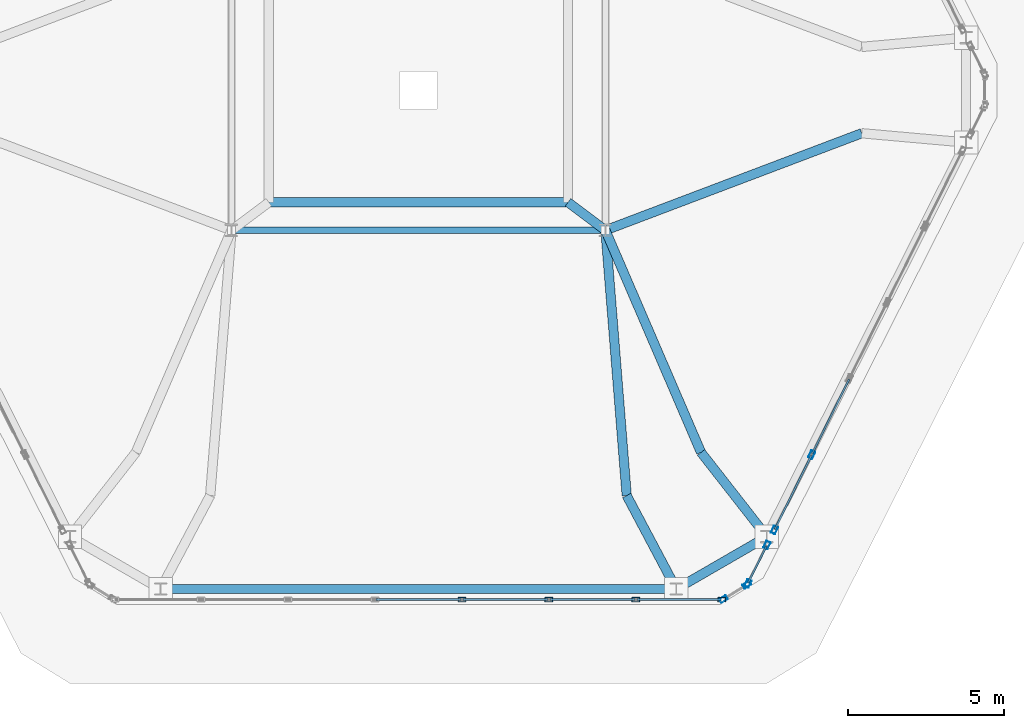
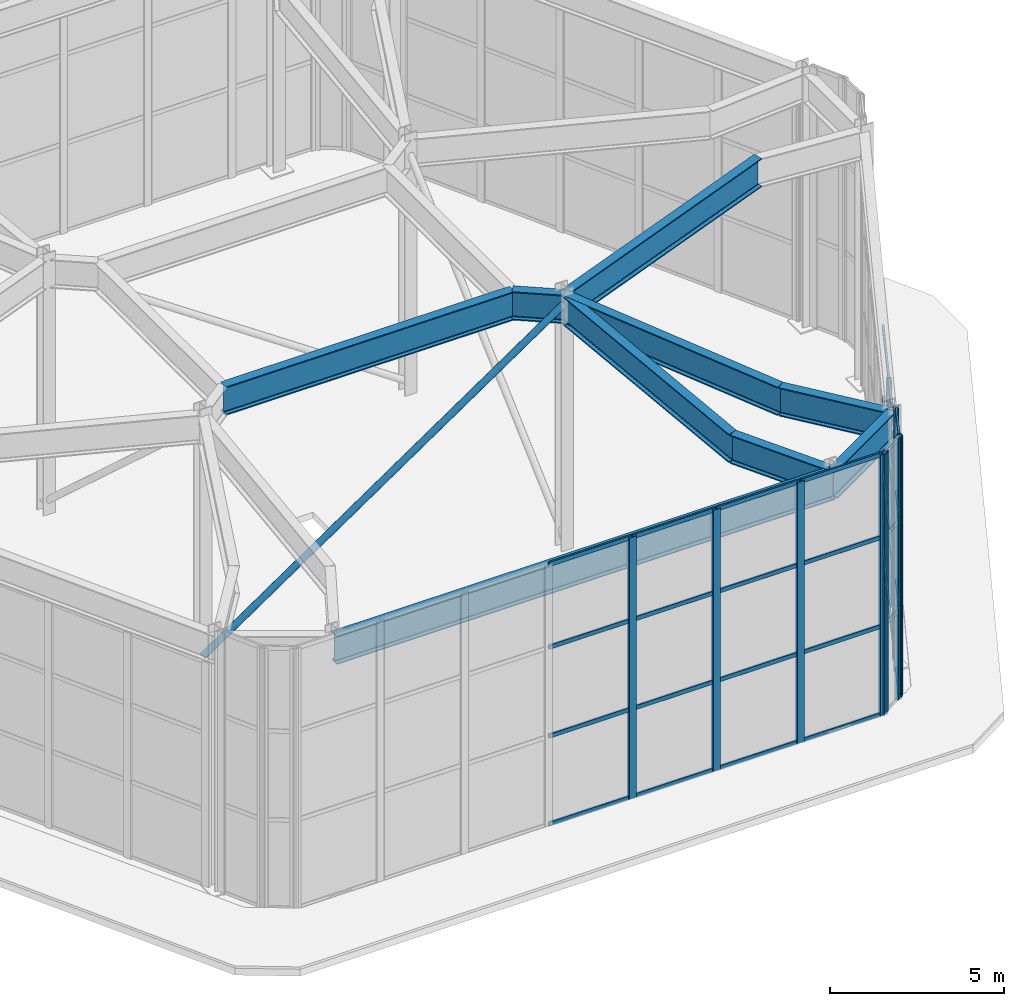
# One storey, part 4 of 12: 39 members, 9 beams, 4 elements without a shape of their own.
"""IFC4 building model written with IfcOpenShell, lengths in metres."""

from ifc_helpers import new_model, si_unit, direction, frame, origin, origin_2d, place, context, subcontext, project, spatial, hollow_rectangle, hollow_circle, i_section, extrude, material, layer, layer_set, material_profile, profile_set, type_object, element, aggregate, save


model = new_model("IFC4")

# Units and contexts
model_context = context("Model", 3, precision=1e-05, world=origin(), true_north=direction((0.0, 1.0)))
body_context = subcontext(model_context, "Body", "Model", "MODEL_VIEW")
ifc_project = project(units=[si_unit("LENGTHUNIT", "METRE"), si_unit("AREAUNIT", "SQUARE_METRE"), si_unit("VOLUMEUNIT", "CUBIC_METRE"), si_unit("PLANEANGLEUNIT", "RADIAN"), si_unit("MASSUNIT", "GRAM", prefix="KILO")], contexts=[model_context])

# Site, building, storey
site_placement = place(None, origin())
site = spatial("IfcSite", under=ifc_project, at=site_placement, CompositionType="ELEMENT")
building_placement = place(site_placement, origin())
building = spatial("IfcBuilding", under=site, at=building_placement, Name="Cinnabar Lancet Tower", CompositionType="ELEMENT")
storey_placement = place(building_placement, frame((0.0, 0.0, 305.5)))
storey = spatial("IfcBuildingStorey", under=building, at=storey_placement, Name="L80", CompositionType="ELEMENT", Elevation=305.5)

# Curtain wall, members
ifc_material_1 = material(Name="Thermally broken bronze-anodized aluminium and low-E glass", Category="aluminium")
ifc_layer = layer(ifc_material_1, 0.179931640625)
ifc_layer_set = layer_set([ifc_layer], Name="Thermally broken bronze-anodized aluminium and low-E glass")
curtain_wall_type = type_object("IfcCurtainWallType", Name="ENV-CW-SYS-05", PredefinedType="NOTDEFINED", material=ifc_layer_set)
curtain_wall_1_placement = place(storey_placement, origin())
curtain_wall_1 = element("IfcCurtainWall", 1, at=curtain_wall_1_placement, inside=storey, type_object=curtain_wall_type, Name="L80 Faceted Lancet Crown Curtain Wall 2", PredefinedType="NOTDEFINED")
ifc_material_2 = material(Name="Anodized architectural aluminium 6063-T6", Category="aluminium")
ifc_material_profile_1 = material_profile(ifc_material_2, hollow_rectangle(XDim=0.14990234375, YDim=0.25, WallThickness=0.010009765625, InnerFilletRadius=0.0048828125, OuterFilletRadius=0.014892578125, at=origin_2d()), Name="RHS 250x150x10")
ifc_profile_set_1 = profile_set([ifc_material_profile_1], Name="Anodized architectural aluminium 6063-T6")
member_type_1 = type_object("IfcMemberType", Name="ENV-CW-MUL-260", PredefinedType="MULLION", material=ifc_profile_set_1)
member_1_placement = place(storey_placement, frame((33.795166015625, 9.449951171875, 0.0), z_axis=(0.0, 0.0, 1.0), x_axis=(0.0, 1.0, 0.0)))
member_1 = element("IfcMember", 2, at=member_1_placement, type_object=member_type_1, Name="CW-05 mullion 5", PredefinedType="MULLION", context=body_context, shape_type="SweptSolid", body=[
    extrude(hollow_rectangle(XDim=0.14990234375, YDim=0.25, WallThickness=0.010009765625, InnerFilletRadius=0.0048828125, OuterFilletRadius=0.014892578125, at=origin_2d()), origin(), (0.0, 0.0, 1.0), 9.175048828125),
])
member_2_placement = place(storey_placement, frame((36.58544921875, 9.449951171875, 0.0), z_axis=(0.0, 0.0, 1.0), x_axis=(0.0, 1.0, 0.0)))
member_2 = element("IfcMember", 3, at=member_2_placement, type_object=member_type_1, Name="CW-05 mullion 6", PredefinedType="MULLION", context=body_context, shape_type="SweptSolid", body=[
    extrude(hollow_rectangle(XDim=0.14990234375, YDim=0.25, WallThickness=0.010009765625, InnerFilletRadius=0.0048828125, OuterFilletRadius=0.014892578125, at=origin_2d()), origin(), (0.0, 0.0, 1.0), 9.175048828125),
])
member_3_placement = place(storey_placement, frame((39.375732421875, 9.449951171875, 0.0), z_axis=(0.0, 0.0, 1.0), x_axis=(0.0, 1.0, 0.0)))
member_3 = element("IfcMember", 4, at=member_3_placement, type_object=member_type_1, Name="CW-05 mullion 7", PredefinedType="MULLION", context=body_context, shape_type="SweptSolid", body=[
    extrude(hollow_rectangle(XDim=0.14990234375, YDim=0.25, WallThickness=0.010009765625, InnerFilletRadius=0.0048828125, OuterFilletRadius=0.014892578125, at=origin_2d()), origin(), (0.0, 0.0, 1.0), 9.175048828125),
])
member_4_placement = place(storey_placement, frame((42.135986328125, 9.449951171875, 0.0), z_axis=(0.0, 0.0, 1.0), x_axis=(0.0, 1.0, 0.0)))
member_4 = element("IfcMember", 5, at=member_4_placement, type_object=member_type_1, Name="CW-05 mullion 8", PredefinedType="MULLION", context=body_context, shape_type="SweptSolid", body=[
    extrude(hollow_rectangle(XDim=0.14990234375, YDim=0.25, WallThickness=0.010009765625, InnerFilletRadius=0.0048828125, OuterFilletRadius=0.014892578125, at=origin_2d()), origin(), (0.0, 0.0, 1.0), 9.175048828125),
])

curtain_wall_2_placement = place(storey_placement, origin())
curtain_wall_2 = element("IfcCurtainWall", 6, at=curtain_wall_2_placement, inside=storey, type_object=curtain_wall_type, Name="L80 Faceted Lancet Crown Curtain Wall 3", PredefinedType="NOTDEFINED")
member_5_placement = place(storey_placement, frame((42.19140625, 9.4658203125, 0.0), z_axis=(0.0, 0.0, 1.0), x_axis=(-0.527496027734, 0.849557497009, 0.0)))
member_5 = element("IfcMember", 7, at=member_5_placement, type_object=member_type_1, Name="CW-05 mullion 1", PredefinedType="MULLION", context=body_context, shape_type="SweptSolid", body=[
    extrude(hollow_rectangle(XDim=0.14990234375, YDim=0.25, WallThickness=0.010009765625, InnerFilletRadius=0.0048828125, OuterFilletRadius=0.014892578125, at=origin_2d()), origin(), (0.0, 0.0, 1.0), 9.175048828125),
])
member_6_placement = place(storey_placement, frame((42.9345703125, 9.92724609375, 0.0), z_axis=(0.0, 0.0, 1.0), x_axis=(-0.527496027734, 0.849557497009, 0.0)))
member_6 = element("IfcMember", 8, at=member_6_placement, type_object=member_type_1, Name="CW-05 mullion 2", PredefinedType="MULLION", context=body_context, shape_type="SweptSolid", body=[
    extrude(hollow_rectangle(XDim=0.14990234375, YDim=0.25, WallThickness=0.010009765625, InnerFilletRadius=0.0048828125, OuterFilletRadius=0.014892578125, at=origin_2d()), origin(), (0.0, 0.0, 1.0), 9.175048828125),
])
aggregate(curtain_wall_2, [member_5, member_6])

curtain_wall_3_placement = place(storey_placement, origin())
curtain_wall_3 = element("IfcCurtainWall", 9, at=curtain_wall_3_placement, inside=storey, type_object=curtain_wall_type, Name="L80 Faceted Lancet Crown Curtain Wall 4", PredefinedType="NOTDEFINED")
member_7_placement = place(storey_placement, frame((42.973388671875, 9.969970703125, 0.0), z_axis=(0.0, 0.0, 1.0), x_axis=(-0.895820359373, 0.444416340533, 0.0)))
member_7 = element("IfcMember", 10, at=member_7_placement, type_object=member_type_1, Name="CW-05 mullion 1", PredefinedType="MULLION", context=body_context, shape_type="SweptSolid", body=[
    extrude(hollow_rectangle(XDim=0.14990234375, YDim=0.25, WallThickness=0.010009765625, InnerFilletRadius=0.0048828125, OuterFilletRadius=0.014892578125, at=origin_2d()), origin(), (0.0, 0.0, 1.0), 9.175048828125),
])
member_8_placement = place(storey_placement, frame((43.582763671875, 11.1982421875, 0.0), z_axis=(0.0, 0.0, 1.0), x_axis=(-0.895820359373, 0.444416340533, 0.0)))
member_8 = element("IfcMember", 11, at=member_8_placement, type_object=member_type_1, Name="CW-05 mullion 2", PredefinedType="MULLION", context=body_context, shape_type="SweptSolid", body=[
    extrude(hollow_rectangle(XDim=0.14990234375, YDim=0.25, WallThickness=0.010009765625, InnerFilletRadius=0.0048828125, OuterFilletRadius=0.014892578125, at=origin_2d()), origin(), (0.0, 0.0, 1.0), 9.175048828125),
])

curtain_wall_4_placement = place(storey_placement, origin())
curtain_wall_4 = element("IfcCurtainWall", 12, at=curtain_wall_4_placement, inside=storey, type_object=curtain_wall_type, Name="L80 Faceted Lancet Crown Curtain Wall 5", PredefinedType="NOTDEFINED")
member_9_placement = place(storey_placement, frame((43.82421875, 11.685791015625, 0.0), z_axis=(0.0, 0.0, 1.0), x_axis=(-0.8959477521, 0.44415945955, 0.0)))
member_9 = element("IfcMember", 13, at=member_9_placement, type_object=member_type_1, Name="CW-05 mullion 1", PredefinedType="MULLION", context=body_context, shape_type="SweptSolid", body=[
    extrude(hollow_rectangle(XDim=0.14990234375, YDim=0.25, WallThickness=0.010009765625, InnerFilletRadius=0.0048828125, OuterFilletRadius=0.014892578125, at=origin_2d()), origin(), (0.0, 0.0, 1.0), 7.9150390625),
])
member_10_placement = place(storey_placement, frame((45.02197265625, 14.101806640625, 0.0), z_axis=(0.0, 0.0, 1.0), x_axis=(-0.8959477521, 0.44415945955, 0.0)))
member_10 = element("IfcMember", 14, at=member_10_placement, type_object=member_type_1, Name="CW-05 mullion 2", PredefinedType="MULLION", context=body_context, shape_type="SweptSolid", body=[
    extrude(hollow_rectangle(XDim=0.14990234375, YDim=0.25, WallThickness=0.010009765625, InnerFilletRadius=0.0048828125, OuterFilletRadius=0.014892578125, at=origin_2d()), origin(), (0.0, 0.0, 1.0), 7.9150390625),
])

# Member
ifc_material_3 = material(Name="Anodized architectural aluminium 6063-T6", Category="aluminium")
ifc_material_profile_2 = material_profile(ifc_material_3, hollow_rectangle(XDim=0.06494140625, YDim=0.14990234375, WallThickness=0.00390625, InnerFilletRadius=0.001953125, OuterFilletRadius=0.006103515625, at=origin_2d()), Name="CW-TRN 150x65x4")
ifc_profile_set_2 = profile_set([ifc_material_profile_2], Name="Anodized architectural aluminium 6063-T6")
member_type_2 = type_object("IfcMemberType", Name="ENV-CW-TRN-160", PredefinedType="USERDEFINED", material=ifc_profile_set_2)
member_11_placement = place(storey_placement, frame((31.034912109375, 9.449951171875, 0.030029296875), z_axis=(1.0, 0.0, 0.0), x_axis=(0.0, 1.0, 0.0)))
member_11 = element("IfcMember", 15, at=member_11_placement, type_object=member_type_2, Name="CW-05 transom 4.1", ObjectType="TRANSOM", PredefinedType="USERDEFINED", context=body_context, shape_type="SweptSolid", body=[
    extrude(hollow_rectangle(XDim=0.06494140625, YDim=0.14990234375, WallThickness=0.00390625, InnerFilletRadius=0.001953125, OuterFilletRadius=0.006103515625, at=origin_2d()), origin(), (0.0, 0.0, 1.0), 2.730224609375),
])

member_12_placement = place(storey_placement, frame((31.034912109375, 9.449951171875, 3.1201171875), z_axis=(1.0, 0.0, 0.0), x_axis=(0.0, 1.0, 0.0)))
member_12 = element("IfcMember", 16, at=member_12_placement, type_object=member_type_2, Name="CW-05 transom 4.2", ObjectType="TRANSOM", PredefinedType="USERDEFINED", context=body_context, shape_type="SweptSolid", body=[
    extrude(hollow_rectangle(XDim=0.06494140625, YDim=0.14990234375, WallThickness=0.00390625, InnerFilletRadius=0.001953125, OuterFilletRadius=0.006103515625, at=origin_2d()), origin(), (0.0, 0.0, 1.0), 2.730224609375),
])

member_13_placement = place(storey_placement, frame((31.034912109375, 9.449951171875, 6.239013671875), z_axis=(1.0, 0.0, 0.0), x_axis=(0.0, 1.0, 0.0)))
member_13 = element("IfcMember", 17, at=member_13_placement, type_object=member_type_2, Name="CW-05 transom 4.3", ObjectType="TRANSOM", PredefinedType="USERDEFINED", context=body_context, shape_type="SweptSolid", body=[
    extrude(hollow_rectangle(XDim=0.06494140625, YDim=0.14990234375, WallThickness=0.00390625, InnerFilletRadius=0.001953125, OuterFilletRadius=0.006103515625, at=origin_2d()), origin(), (0.0, 0.0, 1.0), 2.730224609375),
])

member_14_placement = place(storey_placement, frame((31.034912109375, 9.449951171875, 9.14501953125), z_axis=(1.0, 0.0, 0.0), x_axis=(0.0, 1.0, 0.0)))
member_14 = element("IfcMember", 18, at=member_14_placement, type_object=member_type_2, Name="CW-05 transom 4.4", ObjectType="TRANSOM", PredefinedType="USERDEFINED", context=body_context, shape_type="SweptSolid", body=[
    extrude(hollow_rectangle(XDim=0.06494140625, YDim=0.14990234375, WallThickness=0.00390625, InnerFilletRadius=0.001953125, OuterFilletRadius=0.006103515625, at=origin_2d()), origin(), (0.0, 0.0, 1.0), 2.730224609375),
])

member_15_placement = place(storey_placement, frame((33.8251953125, 9.449951171875, 0.030029296875), z_axis=(1.0, 0.0, 0.0), x_axis=(0.0, 1.0, 0.0)))
member_15 = element("IfcMember", 19, at=member_15_placement, type_object=member_type_2, Name="CW-05 transom 5.1", ObjectType="TRANSOM", PredefinedType="USERDEFINED", context=body_context, shape_type="SweptSolid", body=[
    extrude(hollow_rectangle(XDim=0.06494140625, YDim=0.14990234375, WallThickness=0.00390625, InnerFilletRadius=0.001953125, OuterFilletRadius=0.006103515625, at=origin_2d()), origin(), (0.0, 0.0, 1.0), 2.730224609375),
])

member_16_placement = place(storey_placement, frame((33.8251953125, 9.449951171875, 3.1201171875), z_axis=(1.0, 0.0, 0.0), x_axis=(0.0, 1.0, 0.0)))
member_16 = element("IfcMember", 20, at=member_16_placement, type_object=member_type_2, Name="CW-05 transom 5.2", ObjectType="TRANSOM", PredefinedType="USERDEFINED", context=body_context, shape_type="SweptSolid", body=[
    extrude(hollow_rectangle(XDim=0.06494140625, YDim=0.14990234375, WallThickness=0.00390625, InnerFilletRadius=0.001953125, OuterFilletRadius=0.006103515625, at=origin_2d()), origin(), (0.0, 0.0, 1.0), 2.730224609375),
])

member_17_placement = place(storey_placement, frame((33.8251953125, 9.449951171875, 6.239013671875), z_axis=(1.0, 0.0, 0.0), x_axis=(0.0, 1.0, 0.0)))
member_17 = element("IfcMember", 21, at=member_17_placement, type_object=member_type_2, Name="CW-05 transom 5.3", ObjectType="TRANSOM", PredefinedType="USERDEFINED", context=body_context, shape_type="SweptSolid", body=[
    extrude(hollow_rectangle(XDim=0.06494140625, YDim=0.14990234375, WallThickness=0.00390625, InnerFilletRadius=0.001953125, OuterFilletRadius=0.006103515625, at=origin_2d()), origin(), (0.0, 0.0, 1.0), 2.730224609375),
])

member_18_placement = place(storey_placement, frame((33.8251953125, 9.449951171875, 9.14501953125), z_axis=(1.0, 0.0, 0.0), x_axis=(0.0, 1.0, 0.0)))
member_18 = element("IfcMember", 22, at=member_18_placement, type_object=member_type_2, Name="CW-05 transom 5.4", ObjectType="TRANSOM", PredefinedType="USERDEFINED", context=body_context, shape_type="SweptSolid", body=[
    extrude(hollow_rectangle(XDim=0.06494140625, YDim=0.14990234375, WallThickness=0.00390625, InnerFilletRadius=0.001953125, OuterFilletRadius=0.006103515625, at=origin_2d()), origin(), (0.0, 0.0, 1.0), 2.730224609375),
])

member_19_placement = place(storey_placement, frame((36.615478515625, 9.449951171875, 0.030029296875), z_axis=(1.0, 0.0, 0.0), x_axis=(0.0, 1.0, 0.0)))
member_19 = element("IfcMember", 23, at=member_19_placement, type_object=member_type_2, Name="CW-05 transom 6.1", ObjectType="TRANSOM", PredefinedType="USERDEFINED", context=body_context, shape_type="SweptSolid", body=[
    extrude(hollow_rectangle(XDim=0.06494140625, YDim=0.14990234375, WallThickness=0.00390625, InnerFilletRadius=0.001953125, OuterFilletRadius=0.006103515625, at=origin_2d()), origin(), (0.0, 0.0, 1.0), 2.730224609375),
])

member_20_placement = place(storey_placement, frame((36.615478515625, 9.449951171875, 3.1201171875), z_axis=(1.0, 0.0, 0.0), x_axis=(0.0, 1.0, 0.0)))
member_20 = element("IfcMember", 24, at=member_20_placement, type_object=member_type_2, Name="CW-05 transom 6.2", ObjectType="TRANSOM", PredefinedType="USERDEFINED", context=body_context, shape_type="SweptSolid", body=[
    extrude(hollow_rectangle(XDim=0.06494140625, YDim=0.14990234375, WallThickness=0.00390625, InnerFilletRadius=0.001953125, OuterFilletRadius=0.006103515625, at=origin_2d()), origin(), (0.0, 0.0, 1.0), 2.730224609375),
])

member_21_placement = place(storey_placement, frame((36.615478515625, 9.449951171875, 6.239013671875), z_axis=(1.0, 0.0, 0.0), x_axis=(0.0, 1.0, 0.0)))
member_21 = element("IfcMember", 25, at=member_21_placement, type_object=member_type_2, Name="CW-05 transom 6.3", ObjectType="TRANSOM", PredefinedType="USERDEFINED", context=body_context, shape_type="SweptSolid", body=[
    extrude(hollow_rectangle(XDim=0.06494140625, YDim=0.14990234375, WallThickness=0.00390625, InnerFilletRadius=0.001953125, OuterFilletRadius=0.006103515625, at=origin_2d()), origin(), (0.0, 0.0, 1.0), 2.730224609375),
])

member_22_placement = place(storey_placement, frame((36.615478515625, 9.449951171875, 9.14501953125), z_axis=(1.0, 0.0, 0.0), x_axis=(0.0, 1.0, 0.0)))
member_22 = element("IfcMember", 26, at=member_22_placement, type_object=member_type_2, Name="CW-05 transom 6.4", ObjectType="TRANSOM", PredefinedType="USERDEFINED", context=body_context, shape_type="SweptSolid", body=[
    extrude(hollow_rectangle(XDim=0.06494140625, YDim=0.14990234375, WallThickness=0.00390625, InnerFilletRadius=0.001953125, OuterFilletRadius=0.006103515625, at=origin_2d()), origin(), (0.0, 0.0, 1.0), 2.730224609375),
])

member_23_placement = place(storey_placement, frame((39.40576171875, 9.449951171875, 0.030029296875), z_axis=(1.0, 0.0, 0.0), x_axis=(0.0, 1.0, 0.0)))
member_23 = element("IfcMember", 27, at=member_23_placement, type_object=member_type_2, Name="CW-05 transom 7.1", ObjectType="TRANSOM", PredefinedType="USERDEFINED", context=body_context, shape_type="SweptSolid", body=[
    extrude(hollow_rectangle(XDim=0.06494140625, YDim=0.14990234375, WallThickness=0.00390625, InnerFilletRadius=0.001953125, OuterFilletRadius=0.006103515625, at=origin_2d()), origin(), (0.0, 0.0, 1.0), 2.7001953125),
])

member_24_placement = place(storey_placement, frame((39.40576171875, 9.449951171875, 3.1201171875), z_axis=(1.0, 0.0, 0.0), x_axis=(0.0, 1.0, 0.0)))
member_24 = element("IfcMember", 28, at=member_24_placement, type_object=member_type_2, Name="CW-05 transom 7.2", ObjectType="TRANSOM", PredefinedType="USERDEFINED", context=body_context, shape_type="SweptSolid", body=[
    extrude(hollow_rectangle(XDim=0.06494140625, YDim=0.14990234375, WallThickness=0.00390625, InnerFilletRadius=0.001953125, OuterFilletRadius=0.006103515625, at=origin_2d()), origin(), (0.0, 0.0, 1.0), 2.7001953125),
])

member_25_placement = place(storey_placement, frame((39.40576171875, 9.449951171875, 6.239013671875), z_axis=(1.0, 0.0, 0.0), x_axis=(0.0, 1.0, 0.0)))
member_25 = element("IfcMember", 29, at=member_25_placement, type_object=member_type_2, Name="CW-05 transom 7.3", ObjectType="TRANSOM", PredefinedType="USERDEFINED", context=body_context, shape_type="SweptSolid", body=[
    extrude(hollow_rectangle(XDim=0.06494140625, YDim=0.14990234375, WallThickness=0.00390625, InnerFilletRadius=0.001953125, OuterFilletRadius=0.006103515625, at=origin_2d()), origin(), (0.0, 0.0, 1.0), 2.7001953125),
])

member_26_placement = place(storey_placement, frame((39.40576171875, 9.449951171875, 9.14501953125), z_axis=(1.0, 0.0, 0.0), x_axis=(0.0, 1.0, 0.0)))
member_26 = element("IfcMember", 30, at=member_26_placement, type_object=member_type_2, Name="CW-05 transom 7.4", ObjectType="TRANSOM", PredefinedType="USERDEFINED", context=body_context, shape_type="SweptSolid", body=[
    extrude(hollow_rectangle(XDim=0.06494140625, YDim=0.14990234375, WallThickness=0.00390625, InnerFilletRadius=0.001953125, OuterFilletRadius=0.006103515625, at=origin_2d()), origin(), (0.0, 0.0, 1.0), 2.7001953125),
])

aggregate(curtain_wall_1, [member_1, member_2, member_3, member_4, member_11, member_12, member_13, member_14, member_15, member_16, member_17, member_18, member_19, member_20, member_21, member_22, member_23, member_24, member_25, member_26])

member_27_placement = place(storey_placement, frame((42.986572265625, 9.996826171875, 0.030029296875), z_axis=(0.444529880214, 0.895764023388, 0.0), x_axis=(-0.895764023388, 0.444529880214, 0.0)))
member_27 = element("IfcMember", 31, at=member_27_placement, type_object=member_type_2, Name="CW-05 transom 1.1", ObjectType="TRANSOM", PredefinedType="USERDEFINED", context=body_context, shape_type="SweptSolid", body=[
    extrude(hollow_rectangle(XDim=0.06494140625, YDim=0.14990234375, WallThickness=0.00390625, InnerFilletRadius=0.001953125, OuterFilletRadius=0.006103515625, at=origin_2d()), origin(), (0.0, 0.0, 1.0), 1.31103515625),
])

member_28_placement = place(storey_placement, frame((42.986572265625, 9.996826171875, 3.1201171875), z_axis=(0.444529880214, 0.895764023388, 0.0), x_axis=(-0.895764023388, 0.444529880214, 0.0)))
member_28 = element("IfcMember", 32, at=member_28_placement, type_object=member_type_2, Name="CW-05 transom 1.2", ObjectType="TRANSOM", PredefinedType="USERDEFINED", context=body_context, shape_type="SweptSolid", body=[
    extrude(hollow_rectangle(XDim=0.06494140625, YDim=0.14990234375, WallThickness=0.00390625, InnerFilletRadius=0.001953125, OuterFilletRadius=0.006103515625, at=origin_2d()), origin(), (0.0, 0.0, 1.0), 1.31103515625),
])

member_29_placement = place(storey_placement, frame((42.986572265625, 9.996826171875, 6.239013671875), z_axis=(0.444529880214, 0.895764023388, 0.0), x_axis=(-0.895764023388, 0.444529880214, 0.0)))
member_29 = element("IfcMember", 33, at=member_29_placement, type_object=member_type_2, Name="CW-05 transom 1.3", ObjectType="TRANSOM", PredefinedType="USERDEFINED", context=body_context, shape_type="SweptSolid", body=[
    extrude(hollow_rectangle(XDim=0.06494140625, YDim=0.14990234375, WallThickness=0.00390625, InnerFilletRadius=0.001953125, OuterFilletRadius=0.006103515625, at=origin_2d()), origin(), (0.0, 0.0, 1.0), 1.31103515625),
])

member_30_placement = place(storey_placement, frame((42.986572265625, 9.996826171875, 9.14501953125), z_axis=(0.444529880214, 0.895764023388, 0.0), x_axis=(-0.895764023388, 0.444529880214, 0.0)))
member_30 = element("IfcMember", 34, at=member_30_placement, type_object=member_type_2, Name="CW-05 transom 1.4", ObjectType="TRANSOM", PredefinedType="USERDEFINED", context=body_context, shape_type="SweptSolid", body=[
    extrude(hollow_rectangle(XDim=0.06494140625, YDim=0.14990234375, WallThickness=0.00390625, InnerFilletRadius=0.001953125, OuterFilletRadius=0.006103515625, at=origin_2d()), origin(), (0.0, 0.0, 1.0), 1.31103515625),
])

aggregate(curtain_wall_3, [member_7, member_8, member_27, member_28, member_29, member_30])

member_31_placement = place(storey_placement, frame((43.837646484375, 11.712646484375, 0.030029296875), z_axis=(0.44417393063, 0.895940578023, 0.0), x_axis=(-0.895940578023, 0.44417393063, 0.0)))
member_31 = element("IfcMember", 35, at=member_31_placement, type_object=member_type_2, Name="CW-05 transom 1.1", ObjectType="TRANSOM", PredefinedType="USERDEFINED", context=body_context, shape_type="SweptSolid", body=[
    extrude(hollow_rectangle(XDim=0.06494140625, YDim=0.14990234375, WallThickness=0.00390625, InnerFilletRadius=0.001953125, OuterFilletRadius=0.006103515625, at=origin_2d()), origin(), (0.0, 0.0, 1.0), 2.63671875),
])

member_32_placement = place(storey_placement, frame((43.837646484375, 11.712646484375, 2.69091796875), z_axis=(0.44417393063, 0.895940578023, 0.0), x_axis=(-0.895940578023, 0.44417393063, 0.0)))
member_32 = element("IfcMember", 36, at=member_32_placement, type_object=member_type_2, Name="CW-05 transom 1.2", ObjectType="TRANSOM", PredefinedType="USERDEFINED", context=body_context, shape_type="SweptSolid", body=[
    extrude(hollow_rectangle(XDim=0.06494140625, YDim=0.14990234375, WallThickness=0.00390625, InnerFilletRadius=0.001953125, OuterFilletRadius=0.006103515625, at=origin_2d()), origin(), (0.0, 0.0, 1.0), 2.63671875),
])

member_33_placement = place(storey_placement, frame((43.837646484375, 11.712646484375, 5.382080078125), z_axis=(0.44417393063, 0.895940578023, 0.0), x_axis=(-0.895940578023, 0.44417393063, 0.0)))
member_33 = element("IfcMember", 37, at=member_33_placement, type_object=member_type_2, Name="CW-05 transom 1.3", ObjectType="TRANSOM", PredefinedType="USERDEFINED", context=body_context, shape_type="SweptSolid", body=[
    extrude(hollow_rectangle(XDim=0.06494140625, YDim=0.14990234375, WallThickness=0.00390625, InnerFilletRadius=0.001953125, OuterFilletRadius=0.006103515625, at=origin_2d()), origin(), (0.0, 0.0, 1.0), 2.63671875),
])

member_34_placement = place(storey_placement, frame((43.837646484375, 11.712646484375, 7.885009765625), z_axis=(0.44417393063, 0.895940578023, 0.0), x_axis=(-0.895940578023, 0.44417393063, 0.0)))
member_34 = element("IfcMember", 38, at=member_34_placement, type_object=member_type_2, Name="CW-05 transom 1.4", ObjectType="TRANSOM", PredefinedType="USERDEFINED", context=body_context, shape_type="SweptSolid", body=[
    extrude(hollow_rectangle(XDim=0.06494140625, YDim=0.14990234375, WallThickness=0.00390625, InnerFilletRadius=0.001953125, OuterFilletRadius=0.006103515625, at=origin_2d()), origin(), (0.0, 0.0, 1.0), 2.63671875),
])

member_35_placement = place(storey_placement, frame((45.035400390625, 14.128662109375, 0.030029296875), z_axis=(0.44413469279, 0.895960029611, 0.0), x_axis=(-0.895960029611, 0.44413469279, 0.0)))
member_35 = element("IfcMember", 39, at=member_35_placement, type_object=member_type_2, Name="CW-05 transom 2.1", ObjectType="TRANSOM", PredefinedType="USERDEFINED", context=body_context, shape_type="SweptSolid", body=[
    extrude(hollow_rectangle(XDim=0.06494140625, YDim=0.14990234375, WallThickness=0.00390625, InnerFilletRadius=0.001953125, OuterFilletRadius=0.006103515625, at=origin_2d()), origin(), (0.0, 0.0, 1.0), 2.66650390625),
])

member_36_placement = place(storey_placement, frame((45.035400390625, 14.128662109375, 2.69091796875), z_axis=(0.44413469279, 0.895960029611, 0.0), x_axis=(-0.895960029611, 0.44413469279, 0.0)))
member_36 = element("IfcMember", 40, at=member_36_placement, type_object=member_type_2, Name="CW-05 transom 2.2", ObjectType="TRANSOM", PredefinedType="USERDEFINED", context=body_context, shape_type="SweptSolid", body=[
    extrude(hollow_rectangle(XDim=0.06494140625, YDim=0.14990234375, WallThickness=0.00390625, InnerFilletRadius=0.001953125, OuterFilletRadius=0.006103515625, at=origin_2d()), origin(), (0.0, 0.0, 1.0), 2.66650390625),
])

member_37_placement = place(storey_placement, frame((45.035400390625, 14.128662109375, 5.382080078125), z_axis=(0.44413469279, 0.895960029611, 0.0), x_axis=(-0.895960029611, 0.44413469279, 0.0)))
member_37 = element("IfcMember", 41, at=member_37_placement, type_object=member_type_2, Name="CW-05 transom 2.3", ObjectType="TRANSOM", PredefinedType="USERDEFINED", context=body_context, shape_type="SweptSolid", body=[
    extrude(hollow_rectangle(XDim=0.06494140625, YDim=0.14990234375, WallThickness=0.00390625, InnerFilletRadius=0.001953125, OuterFilletRadius=0.006103515625, at=origin_2d()), origin(), (0.0, 0.0, 1.0), 2.66650390625),
])

member_38_placement = place(storey_placement, frame((45.035400390625, 14.128662109375, 7.885009765625), z_axis=(0.44413469279, 0.895960029611, 0.0), x_axis=(-0.895960029611, 0.44413469279, 0.0)))
member_38 = element("IfcMember", 42, at=member_38_placement, type_object=member_type_2, Name="CW-05 transom 2.4", ObjectType="TRANSOM", PredefinedType="USERDEFINED", context=body_context, shape_type="SweptSolid", body=[
    extrude(hollow_rectangle(XDim=0.06494140625, YDim=0.14990234375, WallThickness=0.00390625, InnerFilletRadius=0.001953125, OuterFilletRadius=0.006103515625, at=origin_2d()), origin(), (0.0, 0.0, 1.0), 2.66650390625),
])

aggregate(curtain_wall_4, [member_9, member_10, member_31, member_32, member_33, member_34, member_35, member_36, member_37, member_38])

# Beams
ifc_material_4 = material(Name="Structural steel S460", Category="steel")
ifc_material_profile_3 = material_profile(ifc_material_4, i_section(OverallWidth=0.300048828125, OverallDepth=1.0, WebThickness=0.01904296875, FlangeThickness=0.035888671875, FilletRadius=0.030029296875, at=origin_2d()), Name="UKB 1016x305x314")
ifc_profile_set_3 = profile_set([ifc_material_profile_3], Name="Structural steel S460")
beam_type = type_object("IfcBeamType", Name="STR-BM-UKB1016-314", PredefinedType="BEAM", material=ifc_profile_set_3)
beam_1_placement = place(storey_placement, frame((24.125, 9.7890625, 8.425048828125), z_axis=(1.0, 0.0, 0.0), x_axis=(0.0, 1.0, 0.0)))
element("IfcBeam", 43, at=beam_1_placement, inside=storey, type_object=beam_type, Name="L81 Setback Outer Ring Girder 1", PredefinedType="BEAM", context=body_context, shape_type="SweptSolid", body=[
    extrude(i_section(OverallWidth=0.300048828125, OverallDepth=1.0, WebThickness=0.01904296875, FlangeThickness=0.035888671875, FilletRadius=0.030029296875, at=origin_2d()), origin(), (0.0, 0.0, 1.0), 16.550048828125),
])
beam_2_placement = place(storey_placement, frame((40.675048828125, 9.7890625, 8.425048828125), z_axis=(0.865748126485, 0.500479951134, 0.0), x_axis=(-0.500479951134, 0.865748126485, 0.0)))
element("IfcBeam", 44, at=beam_2_placement, inside=storey, type_object=beam_type, Name="L81 Setback Outer Ring Girder 2", PredefinedType="BEAM", context=body_context, shape_type="SweptSolid", body=[
    extrude(i_section(OverallWidth=0.300048828125, OverallDepth=1.0, WebThickness=0.01904296875, FlangeThickness=0.035888671875, FilletRadius=0.030029296875, at=origin_2d()), origin(), (0.0, 0.0, 1.0), 3.356689453125),
])
beam_3_placement = place(storey_placement, frame((40.675048828125, 9.7890625, 8.425048828125), z_axis=(-0.468762740644, 0.883324115478, 0.0), x_axis=(-0.883324115478, -0.468762740644, 0.0)))
element("IfcBeam", 45, at=beam_3_placement, inside=storey, type_object=beam_type, Name="L81 Crown Setback Strut Girder 2", PredefinedType="BEAM", context=body_context, shape_type="SweptSolid", body=[
    extrude(i_section(OverallWidth=0.300048828125, OverallDepth=1.0, WebThickness=0.01904296875, FlangeThickness=0.035888671875, FilletRadius=0.030029296875, at=origin_2d()), origin(), (0.0, 0.0, 1.0), 3.396240234375),
])
beam_4_placement = place(storey_placement, frame((39.0830078125, 12.7890625, 8.425048828125), z_axis=(-0.08000433307, 0.99679451578, 0.0), x_axis=(-0.99679451578, -0.08000433307, 0.0)))
element("IfcBeam", 46, at=beam_4_placement, inside=storey, type_object=beam_type, Name="L81 Crown Setback Radial Girder 2", PredefinedType="BEAM", context=body_context, shape_type="SweptSolid", body=[
    extrude(i_section(OverallWidth=0.300048828125, OverallDepth=1.0, WebThickness=0.01904296875, FlangeThickness=0.035888671875, FilletRadius=0.030029296875, at=origin_2d()), origin(), (0.0, 0.0, 1.0), 8.538330078125),
])
beam_5_placement = place(storey_placement, frame((43.5810546875, 11.468994140625, 8.425048828125), z_axis=(-0.615688236076, 0.787989845085, 0.0), x_axis=(-0.787989845085, -0.615688236076, 0.0)))
element("IfcBeam", 47, at=beam_5_placement, inside=storey, type_object=beam_type, Name="L81 Crown Setback Strut Girder 3", PredefinedType="BEAM", context=body_context, shape_type="SweptSolid", body=[
    extrude(i_section(OverallWidth=0.300048828125, OverallDepth=1.0, WebThickness=0.01904296875, FlangeThickness=0.035888671875, FilletRadius=0.030029296875, at=origin_2d()), origin(), (0.0, 0.0, 1.0), 3.430419921875),
])
beam_6_placement = place(storey_placement, frame((41.468994140625, 14.172119140625, 8.425048828125), z_axis=(-0.395471619796, 0.918478196767, 0.0), x_axis=(-0.918478196767, -0.395471619796, 0.0)))
element("IfcBeam", 48, at=beam_6_placement, inside=storey, type_object=beam_type, Name="L81 Crown Setback Radial Girder 3", PredefinedType="BEAM", context=body_context, shape_type="SweptSolid", body=[
    extrude(i_section(OverallWidth=0.300048828125, OverallDepth=1.0, WebThickness=0.01904296875, FlangeThickness=0.035888671875, FilletRadius=0.030029296875, at=origin_2d()), origin(), (0.0, 0.0, 1.0), 7.760498046875),
])
beam_7_placement = place(storey_placement, frame((46.6259765625, 24.4150390625, 8.425048828125), z_axis=(-0.935195103157, -0.354132911533, 0.0), x_axis=(0.354132911533, -0.935195103157, 0.0)))
element("IfcBeam", 49, at=beam_7_placement, inside=storey, type_object=beam_type, Name="L81 Crown Setback Radial Girder 4", PredefinedType="BEAM", context=body_context, shape_type="SweptSolid", body=[
    extrude(i_section(OverallWidth=0.300048828125, OverallDepth=1.0, WebThickness=0.01904296875, FlangeThickness=0.035888671875, FilletRadius=0.030029296875, at=origin_2d()), origin(), (0.0, 0.0, 1.0), 8.796142578125),
])
beam_8_placement = place(storey_placement, frame((27.60009765625, 22.199951171875, 8.425048828125), z_axis=(1.0, 0.0, 0.0), x_axis=(0.0, 1.0, 0.0)))
element("IfcBeam", 50, at=beam_8_placement, inside=storey, type_object=beam_type, Name="L81 Crown Inner Ring Tie 1", PredefinedType="BEAM", context=body_context, shape_type="SweptSolid", body=[
    extrude(i_section(OverallWidth=0.300048828125, OverallDepth=1.0, WebThickness=0.01904296875, FlangeThickness=0.035888671875, FilletRadius=0.030029296875, at=origin_2d()), origin(), (0.0, 0.0, 1.0), 9.599853515625),
])
beam_9_placement = place(storey_placement, frame((38.39990234375, 21.300048828125, 8.425048828125), z_axis=(-0.800019532098, 0.59997395632, 0.0), x_axis=(-0.59997395632, -0.800019532098, 0.0)))
element("IfcBeam", 51, at=beam_9_placement, inside=storey, type_object=beam_type, Name="L81 Crown Inner Ring Transfer 2", PredefinedType="BEAM", context=body_context, shape_type="SweptSolid", body=[
    extrude(i_section(OverallWidth=0.300048828125, OverallDepth=1.0, WebThickness=0.01904296875, FlangeThickness=0.035888671875, FilletRadius=0.030029296875, at=origin_2d()), origin(), (0.0, 0.0, 1.0), 1.5),
])

# Member
ifc_material_5 = material(Name="Structural steel S460", Category="steel")
ifc_material_profile_4 = material_profile(ifc_material_5, hollow_circle(Radius=0.109619140625, WallThickness=0.010009765625, at=origin_2d()), Name="CHS 219.1x10")
ifc_profile_set_4 = profile_set([ifc_material_profile_4], Name="Structural steel S460")
member_type_3 = type_object("IfcMemberType", Name="STR-MEM-CRN-BRC219", PredefinedType="BRACE", material=ifc_profile_set_4)
member_39_placement = place(storey_placement, frame((26.39990234375, 21.300048828125, 0.35009765625), z_axis=(0.8264520989, 0.0, 0.563007041007), x_axis=(0.0, 1.0, 0.0)))
element("IfcMember", 52, at=member_39_placement, inside=storey, type_object=member_type_3, Name="L80 Crown Lancet Core Brace 1", PredefinedType="BRACE", context=body_context, shape_type="SweptSolid", body=[
    extrude(hollow_circle(Radius=0.109619140625, WallThickness=0.010009765625, at=origin_2d()), origin(), (0.0, 0.0, 1.0), 14.52001953125),
])

save(model, "model.ifc")
